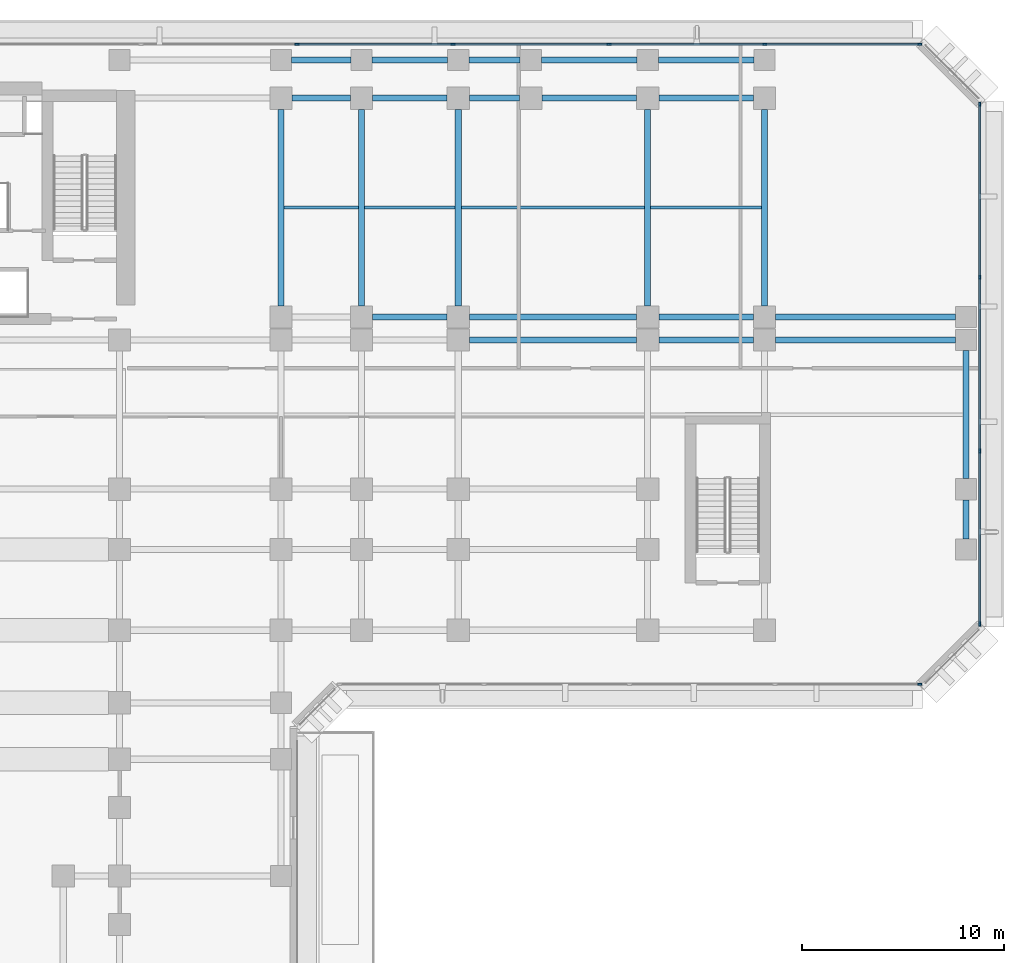
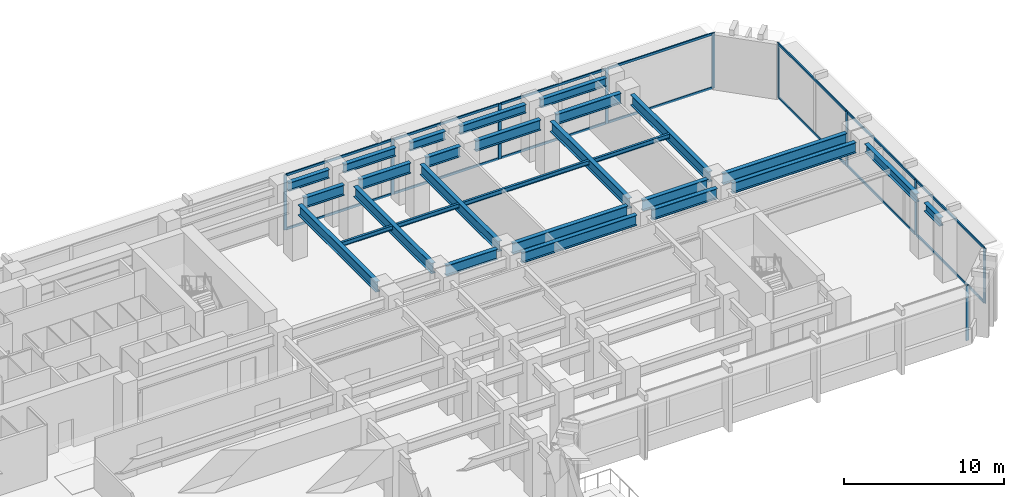
# One storey, part 5 of 16: 28 beams, 24 members, 3 elements without a shape of their own.
"""IFC4 building model written with IfcOpenShell, lengths in metres."""

from ifc_helpers import new_model, si_unit, direction, frame, origin, origin_2d, place, context, subcontext, project, spatial, rectangle, i_section, extrude, material, layer, layer_set, material_profile, profile_set, type_object, element, aggregate, save


model = new_model("IFC4")

# Units and contexts
model_context = context("Model", 3, precision=1e-05, world=origin(), true_north=direction((0.0, 1.0)))
body_context = subcontext(model_context, "Body", "Model", "MODEL_VIEW")
ifc_project = project(units=[si_unit("LENGTHUNIT", "METRE"), si_unit("AREAUNIT", "SQUARE_METRE"), si_unit("VOLUMEUNIT", "CUBIC_METRE"), si_unit("PLANEANGLEUNIT", "RADIAN"), si_unit("MASSUNIT", "GRAM", prefix="KILO")], contexts=[model_context])

# Site, building, storey
site_placement = place(None, origin())
site = spatial("IfcSite", under=ifc_project, at=site_placement, CompositionType="ELEMENT")
building_placement = place(site_placement, origin())
building = spatial("IfcBuilding", under=site, at=building_placement, Name="Kefirva Bronze Tower", CompositionType="ELEMENT")
storey_placement = place(building_placement, frame((0.0, 0.0, 21.1201171875)))
storey = spatial("IfcBuildingStorey", under=building, at=storey_placement, Name="L04", CompositionType="ELEMENT", Elevation=21.1201171875)

# Curtain wall, member
ifc_material_1 = material(Name="Bronze anodised aluminium", Category="aluminium")
ifc_layer = layer(ifc_material_1, 0.239990234375, Name="Bronze anodised aluminium")
ifc_layer_set = layer_set([ifc_layer], Name="Bronze anodised aluminium")
curtain_wall_type = type_object("IfcCurtainWallType", Name="Podium Double-Height Glazed Curtain Wall", PredefinedType="USERDEFINED", material=ifc_layer_set)
curtain_wall_1_placement = place(storey_placement, origin())
curtain_wall_1 = element("IfcCurtainWall", 1, at=curtain_wall_1_placement, inside=storey, type_object=curtain_wall_type, Name="L04 Curtain Wall 2", ObjectType="UNITISED CURTAIN WALL", PredefinedType="USERDEFINED")
ifc_material_profile_1 = material_profile(ifc_material_1, rectangle(XDim=0.090087890625, YDim=0.219970703125, at=origin_2d()), Name="ALU 90x220")
ifc_profile_set_1 = profile_set([ifc_material_profile_1], Name="Bronze anodised aluminium")
member_type_1 = type_object("IfcMemberType", Name="Bronze Mullion 90x220", PredefinedType="MULLION", material=ifc_profile_set_1)
member_1_placement = place(storey_placement, frame((62.89990234375, 16.1201171875, 0.0), z_axis=(0.0, 0.0, 1.0), x_axis=(0.0, 1.0, 0.0)))
member_1 = element("IfcMember", 2, at=member_1_placement, type_object=member_type_1, Name="CW-05 mullion 5", PredefinedType="MULLION", context=body_context, shape_type="SweptSolid", body=[
    extrude(rectangle(XDim=0.090087890625, YDim=0.219970703125, at=origin_2d()), origin(), (0.0, 0.0, 1.0), 4.199951171875),
])
aggregate(curtain_wall_1, [member_1])

# Curtain wall, members
curtain_wall_2_placement = place(storey_placement, origin())
curtain_wall_2 = element("IfcCurtainWall", 3, at=curtain_wall_2_placement, inside=storey, type_object=curtain_wall_type, Name="L04 Curtain Wall 3", ObjectType="UNITISED CURTAIN WALL", PredefinedType="USERDEFINED")
member_2_placement = place(storey_placement, frame((65.8798828125, 19.10009765625, 0.0), z_axis=(0.0, 0.0, 1.0), x_axis=(-1.0, 0.0, 0.0)))
member_2 = element("IfcMember", 4, at=member_2_placement, type_object=member_type_1, Name="CW-05 mullion 1", PredefinedType="MULLION", context=body_context, shape_type="SweptSolid", body=[
    extrude(rectangle(XDim=0.090087890625, YDim=0.219970703125, at=origin_2d()), origin(), (0.0, 0.0, 1.0), 4.199951171875),
])
member_3_placement = place(storey_placement, frame((65.8798828125, 27.68505859375, 0.0), z_axis=(0.0, 0.0, 1.0), x_axis=(-1.0, 0.0, 0.0)))
member_3 = element("IfcMember", 5, at=member_3_placement, type_object=member_type_1, Name="CW-05 mullion 2", PredefinedType="MULLION", context=body_context, shape_type="SweptSolid", body=[
    extrude(rectangle(XDim=0.090087890625, YDim=0.219970703125, at=origin_2d()), origin(), (0.0, 0.0, 1.0), 4.199951171875),
])
member_4_placement = place(storey_placement, frame((65.8798828125, 36.31494140625, 0.0), z_axis=(0.0, 0.0, 1.0), x_axis=(-1.0, 0.0, 0.0)))
member_4 = element("IfcMember", 6, at=member_4_placement, type_object=member_type_1, Name="CW-05 mullion 3", PredefinedType="MULLION", context=body_context, shape_type="SweptSolid", body=[
    extrude(rectangle(XDim=0.090087890625, YDim=0.219970703125, at=origin_2d()), origin(), (0.0, 0.0, 1.0), 4.199951171875),
])
member_5_placement = place(storey_placement, frame((65.8798828125, 44.89990234375, 0.0), z_axis=(0.0, 0.0, 1.0), x_axis=(-1.0, 0.0, 0.0)))
member_5 = element("IfcMember", 7, at=member_5_placement, type_object=member_type_1, Name="CW-05 mullion 4", PredefinedType="MULLION", context=body_context, shape_type="SweptSolid", body=[
    extrude(rectangle(XDim=0.090087890625, YDim=0.219970703125, at=origin_2d()), origin(), (0.0, 0.0, 1.0), 4.199951171875),
])

curtain_wall_3_placement = place(storey_placement, origin())
curtain_wall_3 = element("IfcCurtainWall", 8, at=curtain_wall_3_placement, inside=storey, type_object=curtain_wall_type, Name="L04 Curtain Wall 4", ObjectType="UNITISED CURTAIN WALL", PredefinedType="USERDEFINED")
member_6_placement = place(storey_placement, frame((62.89990234375, 47.8798828125, 0.0), z_axis=(0.0, 0.0, 1.0), x_axis=(0.0, -1.0, 0.0)))
member_6 = element("IfcMember", 9, at=member_6_placement, type_object=member_type_1, Name="CW-05 mullion 1", PredefinedType="MULLION", context=body_context, shape_type="SweptSolid", body=[
    extrude(rectangle(XDim=0.090087890625, YDim=0.219970703125, at=origin_2d()), origin(), (0.0, 0.0, 1.0), 4.199951171875),
])
member_7_placement = place(storey_placement, frame((55.208740234375, 47.8798828125, 0.0), z_axis=(0.0, 0.0, 1.0), x_axis=(0.0, -1.0, 0.0)))
member_7 = element("IfcMember", 10, at=member_7_placement, type_object=member_type_1, Name="CW-05 mullion 2", PredefinedType="MULLION", context=body_context, shape_type="SweptSolid", body=[
    extrude(rectangle(XDim=0.090087890625, YDim=0.219970703125, at=origin_2d()), origin(), (0.0, 0.0, 1.0), 4.199951171875),
])
member_8_placement = place(storey_placement, frame((47.472412109375, 47.8798828125, 0.0), z_axis=(0.0, 0.0, 1.0), x_axis=(0.0, -1.0, 0.0)))
member_8 = element("IfcMember", 11, at=member_8_placement, type_object=member_type_1, Name="CW-05 mullion 3", PredefinedType="MULLION", context=body_context, shape_type="SweptSolid", body=[
    extrude(rectangle(XDim=0.090087890625, YDim=0.219970703125, at=origin_2d()), origin(), (0.0, 0.0, 1.0), 4.199951171875),
])
member_9_placement = place(storey_placement, frame((39.736328125, 47.8798828125, 0.0), z_axis=(0.0, 0.0, 1.0), x_axis=(0.0, -1.0, 0.0)))
member_9 = element("IfcMember", 12, at=member_9_placement, type_object=member_type_1, Name="CW-05 mullion 4", PredefinedType="MULLION", context=body_context, shape_type="SweptSolid", body=[
    extrude(rectangle(XDim=0.090087890625, YDim=0.219970703125, at=origin_2d()), origin(), (0.0, 0.0, 1.0), 4.199951171875),
])
member_10_placement = place(storey_placement, frame((32.0, 47.8798828125, 0.0), z_axis=(0.0, 0.0, 1.0), x_axis=(0.0, -1.0, 0.0)))
member_10 = element("IfcMember", 13, at=member_10_placement, type_object=member_type_1, Name="CW-05 mullion 5", PredefinedType="MULLION", context=body_context, shape_type="SweptSolid", body=[
    extrude(rectangle(XDim=0.090087890625, YDim=0.219970703125, at=origin_2d()), origin(), (0.0, 0.0, 1.0), 4.199951171875),
])

# Member
ifc_material_profile_2 = material_profile(ifc_material_1, rectangle(XDim=0.090087890625, YDim=0.179931640625, at=origin_2d()), Name="ALU 90x180")
ifc_profile_set_2 = profile_set([ifc_material_profile_2], Name="Bronze anodised aluminium")
member_type_2 = type_object("IfcMemberType", Name="Bronze Transom 90x180", PredefinedType="USERDEFINED", material=ifc_profile_set_2)
member_11_placement = place(storey_placement, frame((65.8798828125, 19.14501953125, 0.044921875), z_axis=(0.0, 1.0, 0.0), x_axis=(-1.0, 0.0, 0.0)))
member_11 = element("IfcMember", 14, at=member_11_placement, type_object=member_type_2, Name="CW-05 transom 1.1", ObjectType="TRANSOM", PredefinedType="USERDEFINED", context=body_context, shape_type="SweptSolid", body=[
    extrude(rectangle(XDim=0.090087890625, YDim=0.179931640625, at=origin_2d()), origin(), (0.0, 0.0, 1.0), 8.494873046875),
])

member_12_placement = place(storey_placement, frame((65.8798828125, 19.14501953125, 4.15478515625), z_axis=(0.0, 1.0, 0.0), x_axis=(-1.0, 0.0, 0.0)))
member_12 = element("IfcMember", 15, at=member_12_placement, type_object=member_type_2, Name="CW-05 transom 1.2", ObjectType="TRANSOM", PredefinedType="USERDEFINED", context=body_context, shape_type="SweptSolid", body=[
    extrude(rectangle(XDim=0.090087890625, YDim=0.179931640625, at=origin_2d()), origin(), (0.0, 0.0, 1.0), 8.494873046875),
])

member_13_placement = place(storey_placement, frame((65.8798828125, 27.72998046875, 0.044921875), z_axis=(0.0, 1.0, 0.0), x_axis=(-1.0, 0.0, 0.0)))
member_13 = element("IfcMember", 16, at=member_13_placement, type_object=member_type_2, Name="CW-05 transom 2.1", ObjectType="TRANSOM", PredefinedType="USERDEFINED", context=body_context, shape_type="SweptSolid", body=[
    extrude(rectangle(XDim=0.090087890625, YDim=0.179931640625, at=origin_2d()), origin(), (0.0, 0.0, 1.0), 8.5400390625),
])

member_14_placement = place(storey_placement, frame((65.8798828125, 27.72998046875, 4.15478515625), z_axis=(0.0, 1.0, 0.0), x_axis=(-1.0, 0.0, 0.0)))
member_14 = element("IfcMember", 17, at=member_14_placement, type_object=member_type_2, Name="CW-05 transom 2.2", ObjectType="TRANSOM", PredefinedType="USERDEFINED", context=body_context, shape_type="SweptSolid", body=[
    extrude(rectangle(XDim=0.090087890625, YDim=0.179931640625, at=origin_2d()), origin(), (0.0, 0.0, 1.0), 8.5400390625),
])

member_15_placement = place(storey_placement, frame((65.8798828125, 36.360107421875, 0.044921875), z_axis=(0.0, 1.0, 0.0), x_axis=(-1.0, 0.0, 0.0)))
member_15 = element("IfcMember", 18, at=member_15_placement, type_object=member_type_2, Name="CW-05 transom 3.1", ObjectType="TRANSOM", PredefinedType="USERDEFINED", context=body_context, shape_type="SweptSolid", body=[
    extrude(rectangle(XDim=0.090087890625, YDim=0.179931640625, at=origin_2d()), origin(), (0.0, 0.0, 1.0), 8.494873046875),
])

member_16_placement = place(storey_placement, frame((65.8798828125, 36.360107421875, 4.15478515625), z_axis=(0.0, 1.0, 0.0), x_axis=(-1.0, 0.0, 0.0)))
member_16 = element("IfcMember", 19, at=member_16_placement, type_object=member_type_2, Name="CW-05 transom 3.2", ObjectType="TRANSOM", PredefinedType="USERDEFINED", context=body_context, shape_type="SweptSolid", body=[
    extrude(rectangle(XDim=0.090087890625, YDim=0.179931640625, at=origin_2d()), origin(), (0.0, 0.0, 1.0), 8.494873046875),
])

aggregate(curtain_wall_2, [member_2, member_3, member_4, member_5, member_11, member_12, member_13, member_14, member_15, member_16])

member_17_placement = place(storey_placement, frame((62.85498046875, 47.8798828125, 0.044921875), z_axis=(-1.0, 0.0, 0.0), x_axis=(0.0, -1.0, 0.0)))
member_17 = element("IfcMember", 20, at=member_17_placement, type_object=member_type_2, Name="CW-05 transom 1.1", ObjectType="TRANSOM", PredefinedType="USERDEFINED", context=body_context, shape_type="SweptSolid", body=[
    extrude(rectangle(XDim=0.090087890625, YDim=0.179931640625, at=origin_2d()), origin(), (0.0, 0.0, 1.0), 7.601318359375),
])

member_18_placement = place(storey_placement, frame((62.85498046875, 47.8798828125, 4.15478515625), z_axis=(-1.0, 0.0, 0.0), x_axis=(0.0, -1.0, 0.0)))
member_18 = element("IfcMember", 21, at=member_18_placement, type_object=member_type_2, Name="CW-05 transom 1.2", ObjectType="TRANSOM", PredefinedType="USERDEFINED", context=body_context, shape_type="SweptSolid", body=[
    extrude(rectangle(XDim=0.090087890625, YDim=0.179931640625, at=origin_2d()), origin(), (0.0, 0.0, 1.0), 7.601318359375),
])

member_19_placement = place(storey_placement, frame((55.163818359375, 47.8798828125, 0.044921875), z_axis=(-1.0, 0.0, 0.0), x_axis=(0.0, -1.0, 0.0)))
member_19 = element("IfcMember", 22, at=member_19_placement, type_object=member_type_2, Name="CW-05 transom 2.1", ObjectType="TRANSOM", PredefinedType="USERDEFINED", context=body_context, shape_type="SweptSolid", body=[
    extrude(rectangle(XDim=0.090087890625, YDim=0.179931640625, at=origin_2d()), origin(), (0.0, 0.0, 1.0), 7.646240234375),
])

member_20_placement = place(storey_placement, frame((55.163818359375, 47.8798828125, 4.15478515625), z_axis=(-1.0, 0.0, 0.0), x_axis=(0.0, -1.0, 0.0)))
member_20 = element("IfcMember", 23, at=member_20_placement, type_object=member_type_2, Name="CW-05 transom 2.2", ObjectType="TRANSOM", PredefinedType="USERDEFINED", context=body_context, shape_type="SweptSolid", body=[
    extrude(rectangle(XDim=0.090087890625, YDim=0.179931640625, at=origin_2d()), origin(), (0.0, 0.0, 1.0), 7.646240234375),
])

member_21_placement = place(storey_placement, frame((47.427490234375, 47.8798828125, 0.044921875), z_axis=(-1.0, 0.0, 0.0), x_axis=(0.0, -1.0, 0.0)))
member_21 = element("IfcMember", 24, at=member_21_placement, type_object=member_type_2, Name="CW-05 transom 3.1", ObjectType="TRANSOM", PredefinedType="USERDEFINED", context=body_context, shape_type="SweptSolid", body=[
    extrude(rectangle(XDim=0.090087890625, YDim=0.179931640625, at=origin_2d()), origin(), (0.0, 0.0, 1.0), 7.646240234375),
])

member_22_placement = place(storey_placement, frame((47.427490234375, 47.8798828125, 4.15478515625), z_axis=(-1.0, 0.0, 0.0), x_axis=(0.0, -1.0, 0.0)))
member_22 = element("IfcMember", 25, at=member_22_placement, type_object=member_type_2, Name="CW-05 transom 3.2", ObjectType="TRANSOM", PredefinedType="USERDEFINED", context=body_context, shape_type="SweptSolid", body=[
    extrude(rectangle(XDim=0.090087890625, YDim=0.179931640625, at=origin_2d()), origin(), (0.0, 0.0, 1.0), 7.646240234375),
])

member_23_placement = place(storey_placement, frame((39.691162109375, 47.8798828125, 0.044921875), z_axis=(-1.0, 0.0, 0.0), x_axis=(0.0, -1.0, 0.0)))
member_23 = element("IfcMember", 26, at=member_23_placement, type_object=member_type_2, Name="CW-05 transom 4.1", ObjectType="TRANSOM", PredefinedType="USERDEFINED", context=body_context, shape_type="SweptSolid", body=[
    extrude(rectangle(XDim=0.090087890625, YDim=0.179931640625, at=origin_2d()), origin(), (0.0, 0.0, 1.0), 7.646240234375),
])

member_24_placement = place(storey_placement, frame((39.691162109375, 47.8798828125, 4.15478515625), z_axis=(-1.0, 0.0, 0.0), x_axis=(0.0, -1.0, 0.0)))
member_24 = element("IfcMember", 27, at=member_24_placement, type_object=member_type_2, Name="CW-05 transom 4.2", ObjectType="TRANSOM", PredefinedType="USERDEFINED", context=body_context, shape_type="SweptSolid", body=[
    extrude(rectangle(XDim=0.090087890625, YDim=0.179931640625, at=origin_2d()), origin(), (0.0, 0.0, 1.0), 7.646240234375),
])

aggregate(curtain_wall_3, [member_6, member_7, member_8, member_9, member_10, member_17, member_18, member_19, member_20, member_21, member_22, member_23, member_24])

# Beams
ifc_material_2 = material(Name="Steel S355", Category="steel")
ifc_material_profile_3 = material_profile(ifc_material_2, i_section(OverallWidth=0.159912109375, OverallDepth=0.330078125, WebThickness=0.007568359375, FlangeThickness=0.011474609375, at=origin_2d()), Name="IPE 330")
ifc_profile_set_3 = profile_set([ifc_material_profile_3], Name="Steel S355")
beam_type_1 = type_object("IfcBeamType", Name="Steel Floor Joist IPE 330", PredefinedType="JOIST", material=ifc_profile_set_3)
beam_1_placement = place(storey_placement, frame((31.35009765625, 39.77490234375, 4.034912109375), z_axis=(1.0, 0.0, 0.0), x_axis=(0.0, 1.0, 0.0)))
element("IfcBeam", 28, at=beam_1_placement, inside=storey, type_object=beam_type_1, Name="L04 JST-L04-31-397", PredefinedType="JOIST", context=body_context, shape_type="SweptSolid", body=[
    extrude(i_section(OverallWidth=0.159912109375, OverallDepth=0.330078125, WebThickness=0.007568359375, FlangeThickness=0.011474609375, at=origin_2d()), origin(), (0.0, 0.0, 1.0), 3.699951171875),
])
beam_2_placement = place(storey_placement, frame((35.35009765625, 39.77490234375, 4.034912109375), z_axis=(1.0, 0.0, 0.0), x_axis=(0.0, 1.0, 0.0)))
element("IfcBeam", 29, at=beam_2_placement, inside=storey, type_object=beam_type_1, Name="L04 JST-L04-35-397", PredefinedType="JOIST", context=body_context, shape_type="SweptSolid", body=[
    extrude(i_section(OverallWidth=0.159912109375, OverallDepth=0.330078125, WebThickness=0.007568359375, FlangeThickness=0.011474609375, at=origin_2d()), origin(), (0.0, 0.0, 1.0), 4.5),
])
beam_3_placement = place(storey_placement, frame((40.14990234375, 39.77490234375, 4.034912109375), z_axis=(1.0, 0.0, 0.0), x_axis=(0.0, 1.0, 0.0)))
element("IfcBeam", 30, at=beam_3_placement, inside=storey, type_object=beam_type_1, Name="L04 JST-L04-40-397", PredefinedType="JOIST", context=body_context, shape_type="SweptSolid", body=[
    extrude(i_section(OverallWidth=0.159912109375, OverallDepth=0.330078125, WebThickness=0.007568359375, FlangeThickness=0.011474609375, at=origin_2d()), origin(), (0.0, 0.0, 1.0), 9.10009765625),
])
beam_4_placement = place(storey_placement, frame((49.550048828125, 39.77490234375, 4.034912109375), z_axis=(1.0, 0.0, 0.0), x_axis=(0.0, 1.0, 0.0)))
element("IfcBeam", 31, at=beam_4_placement, inside=storey, type_object=beam_type_1, Name="L04 JST-L04-49-397", PredefinedType="JOIST", context=body_context, shape_type="SweptSolid", body=[
    extrude(i_section(OverallWidth=0.159912109375, OverallDepth=0.330078125, WebThickness=0.007568359375, FlangeThickness=0.011474609375, at=origin_2d()), origin(), (0.0, 0.0, 1.0), 5.5),
])
ifc_material_profile_4 = material_profile(ifc_material_2, i_section(OverallWidth=0.300048828125, OverallDepth=0.800048828125, WebThickness=0.017578125, FlangeThickness=0.032958984375, at=origin_2d()), Name="HEB 800")
ifc_profile_set_4 = profile_set([ifc_material_profile_4], Name="Steel S355")
beam_type_2 = type_object("IfcBeamType", Name="Steel Girder HEB 800", PredefinedType="USERDEFINED", material=ifc_profile_set_4)
beam_5_placement = place(storey_placement, frame((40.550048828125, 33.199951171875, 3.7998046875), z_axis=(1.0, 0.0, 0.0), x_axis=(0.0, 1.0, 0.0)))
element("IfcBeam", 32, at=beam_5_placement, inside=storey, type_object=beam_type_2, Name="L04 BM-L04-EW-40-332", ObjectType="GIRDER", PredefinedType="USERDEFINED", context=body_context, shape_type="SweptSolid", body=[
    extrude(i_section(OverallWidth=0.300048828125, OverallDepth=0.800048828125, WebThickness=0.017578125, FlangeThickness=0.032958984375, at=origin_2d()), origin(), (0.0, 0.0, 1.0), 8.300048828125),
])
beam_6_placement = place(storey_placement, frame((49.949951171875, 33.199951171875, 3.7998046875), z_axis=(1.0, 0.0, 0.0), x_axis=(0.0, 1.0, 0.0)))
element("IfcBeam", 33, at=beam_6_placement, inside=storey, type_object=beam_type_2, Name="L04 BM-L04-EW-49-332", ObjectType="GIRDER", PredefinedType="USERDEFINED", context=body_context, shape_type="SweptSolid", body=[
    extrude(i_section(OverallWidth=0.300048828125, OverallDepth=0.800048828125, WebThickness=0.017578125, FlangeThickness=0.032958984375, at=origin_2d()), origin(), (0.0, 0.0, 1.0), 4.699951171875),
])
beam_7_placement = place(storey_placement, frame((55.75, 33.199951171875, 3.7998046875), z_axis=(1.0, 0.0, 0.0), x_axis=(0.0, 1.0, 0.0)))
element("IfcBeam", 34, at=beam_7_placement, inside=storey, type_object=beam_type_2, Name="L04 BM-L04-EW-55-332", ObjectType="GIRDER", PredefinedType="USERDEFINED", context=body_context, shape_type="SweptSolid", body=[
    extrude(i_section(OverallWidth=0.300048828125, OverallDepth=0.800048828125, WebThickness=0.017578125, FlangeThickness=0.032958984375, at=origin_2d()), origin(), (0.0, 0.0, 1.0), 8.925048828125),
])
beam_8_placement = place(storey_placement, frame((35.75, 34.35009765625, 3.7998046875), z_axis=(1.0, 0.0, 0.0), x_axis=(0.0, 1.0, 0.0)))
element("IfcBeam", 35, at=beam_8_placement, inside=storey, type_object=beam_type_2, Name="L04 BM-L04-EW-35-344", ObjectType="GIRDER", PredefinedType="USERDEFINED", context=body_context, shape_type="SweptSolid", body=[
    extrude(i_section(OverallWidth=0.300048828125, OverallDepth=0.800048828125, WebThickness=0.017578125, FlangeThickness=0.032958984375, at=origin_2d()), origin(), (0.0, 0.0, 1.0), 3.699951171875),
])
beam_9_placement = place(storey_placement, frame((40.550048828125, 34.35009765625, 3.7998046875), z_axis=(1.0, 0.0, 0.0), x_axis=(0.0, 1.0, 0.0)))
element("IfcBeam", 36, at=beam_9_placement, inside=storey, type_object=beam_type_2, Name="L04 BM-L04-EW-40-344", ObjectType="GIRDER", PredefinedType="USERDEFINED", context=body_context, shape_type="SweptSolid", body=[
    extrude(i_section(OverallWidth=0.300048828125, OverallDepth=0.800048828125, WebThickness=0.017578125, FlangeThickness=0.032958984375, at=origin_2d()), origin(), (0.0, 0.0, 1.0), 8.300048828125),
])
beam_10_placement = place(storey_placement, frame((49.949951171875, 34.35009765625, 3.7998046875), z_axis=(1.0, 0.0, 0.0), x_axis=(0.0, 1.0, 0.0)))
element("IfcBeam", 37, at=beam_10_placement, inside=storey, type_object=beam_type_2, Name="L04 BM-L04-EW-49-344", ObjectType="GIRDER", PredefinedType="USERDEFINED", context=body_context, shape_type="SweptSolid", body=[
    extrude(i_section(OverallWidth=0.300048828125, OverallDepth=0.800048828125, WebThickness=0.017578125, FlangeThickness=0.032958984375, at=origin_2d()), origin(), (0.0, 0.0, 1.0), 4.699951171875),
])
beam_11_placement = place(storey_placement, frame((55.75, 34.35009765625, 3.7998046875), z_axis=(1.0, 0.0, 0.0), x_axis=(0.0, 1.0, 0.0)))
element("IfcBeam", 38, at=beam_11_placement, inside=storey, type_object=beam_type_2, Name="L04 BM-L04-EW-55-344", ObjectType="GIRDER", PredefinedType="USERDEFINED", context=body_context, shape_type="SweptSolid", body=[
    extrude(i_section(OverallWidth=0.300048828125, OverallDepth=0.800048828125, WebThickness=0.017578125, FlangeThickness=0.032958984375, at=origin_2d()), origin(), (0.0, 0.0, 1.0), 8.925048828125),
])
beam_12_placement = place(storey_placement, frame((31.75, 45.199951171875, 3.7998046875), z_axis=(1.0, 0.0, 0.0), x_axis=(0.0, 1.0, 0.0)))
element("IfcBeam", 39, at=beam_12_placement, inside=storey, type_object=beam_type_2, Name="L04 BM-L04-EW-31-452", ObjectType="GIRDER", PredefinedType="USERDEFINED", context=body_context, shape_type="SweptSolid", body=[
    extrude(i_section(OverallWidth=0.300048828125, OverallDepth=0.800048828125, WebThickness=0.017578125, FlangeThickness=0.032958984375, at=origin_2d()), origin(), (0.0, 0.0, 1.0), 2.89990234375),
])
beam_13_placement = place(storey_placement, frame((35.75, 45.199951171875, 3.7998046875), z_axis=(1.0, 0.0, 0.0), x_axis=(0.0, 1.0, 0.0)))
element("IfcBeam", 40, at=beam_13_placement, inside=storey, type_object=beam_type_2, Name="L04 BM-L04-EW-35-452", ObjectType="GIRDER", PredefinedType="USERDEFINED", context=body_context, shape_type="SweptSolid", body=[
    extrude(i_section(OverallWidth=0.300048828125, OverallDepth=0.800048828125, WebThickness=0.017578125, FlangeThickness=0.032958984375, at=origin_2d()), origin(), (0.0, 0.0, 1.0), 3.699951171875),
])
beam_14_placement = place(storey_placement, frame((40.550048828125, 45.199951171875, 3.7998046875), z_axis=(1.0, 0.0, 0.0), x_axis=(0.0, 1.0, 0.0)))
element("IfcBeam", 41, at=beam_14_placement, inside=storey, type_object=beam_type_2, Name="L04 BM-L04-EW-40-452", ObjectType="GIRDER", PredefinedType="USERDEFINED", context=body_context, shape_type="SweptSolid", body=[
    extrude(i_section(OverallWidth=0.300048828125, OverallDepth=0.800048828125, WebThickness=0.017578125, FlangeThickness=0.032958984375, at=origin_2d()), origin(), (0.0, 0.0, 1.0), 2.5),
])
beam_15_placement = place(storey_placement, frame((44.14990234375, 45.199951171875, 3.7998046875), z_axis=(1.0, 0.0, 0.0), x_axis=(0.0, 1.0, 0.0)))
element("IfcBeam", 42, at=beam_15_placement, inside=storey, type_object=beam_type_2, Name="L04 BM-L04-EW-43-452", ObjectType="GIRDER", PredefinedType="USERDEFINED", context=body_context, shape_type="SweptSolid", body=[
    extrude(i_section(OverallWidth=0.300048828125, OverallDepth=0.800048828125, WebThickness=0.017578125, FlangeThickness=0.032958984375, at=origin_2d()), origin(), (0.0, 0.0, 1.0), 4.7001953125),
])
beam_16_placement = place(storey_placement, frame((49.949951171875, 45.199951171875, 3.7998046875), z_axis=(1.0, 0.0, 0.0), x_axis=(0.0, 1.0, 0.0)))
element("IfcBeam", 43, at=beam_16_placement, inside=storey, type_object=beam_type_2, Name="L04 BM-L04-EW-49-452", ObjectType="GIRDER", PredefinedType="USERDEFINED", context=body_context, shape_type="SweptSolid", body=[
    extrude(i_section(OverallWidth=0.300048828125, OverallDepth=0.800048828125, WebThickness=0.017578125, FlangeThickness=0.032958984375, at=origin_2d()), origin(), (0.0, 0.0, 1.0), 4.699951171875),
])
for number, where, z_axis, x_axis, name in (
    (44, (31.199951171875, 34.89990234375, 3.7998046875), (0.0, 1.0, 0.0), (-1.0, 0.0, 0.0), "L04 BM-L04-NS-312-34"),
    (45, (35.199951171875, 34.89990234375, 3.7998046875), (0.0, 1.0, 0.0), (-1.0, 0.0, 0.0), "L04 BM-L04-NS-352-34"),
    (46, (40.0, 34.89990234375, 3.7998046875), (0.0, 1.0, 0.0), (-1.0, 0.0, 0.0), "L04 BM-L04-NS-400-34"),
    (47, (49.39990234375, 34.89990234375, 3.7998046875), (0.0, 1.0, 0.0), (-1.0, 0.0, 0.0), "L04 BM-L04-NS-494-34"),
    (48, (55.199951171875, 34.89990234375, 3.7998046875), (0.0, 1.0, 0.0), (-1.0, 0.0, 0.0), "L04 BM-L04-NS-552-34"),
):
    element("IfcBeam", number, at=place(storey_placement, frame(where, z_axis=z_axis, x_axis=x_axis)), inside=storey, type_object=beam_type_2, Name=name, ObjectType="GIRDER", PredefinedType="USERDEFINED", context=body_context, shape_type="SweptSolid", body=[
        extrude(i_section(OverallWidth=0.300048828125, OverallDepth=0.800048828125, WebThickness=0.017578125, FlangeThickness=0.032958984375, at=origin_2d()), origin(), (0.0, 0.0, 1.0), 9.75),
    ])
ifc_material_profile_5 = material_profile(ifc_material_2, i_section(OverallWidth=0.300048828125, OverallDepth=0.64990234375, WebThickness=0.01611328125, FlangeThickness=0.031005859375, at=origin_2d()), Name="HEB 650")
ifc_profile_set_5 = profile_set([ifc_material_profile_5], Name="Steel S355")
beam_type_3 = type_object("IfcBeamType", Name="Steel Spandrel HEB 650 Ext", PredefinedType="SPANDREL", material=ifc_profile_set_5)
beam_17_placement = place(storey_placement, frame((31.72509765625, 47.10009765625, 3.875), z_axis=(1.0, 0.0, 0.0), x_axis=(0.0, 1.0, 0.0)))
element("IfcBeam", 49, at=beam_17_placement, inside=storey, type_object=beam_type_3, Name="L04 BM-L04-EW-31-471", PredefinedType="SPANDREL", context=body_context, shape_type="SweptSolid", body=[
    extrude(i_section(OverallWidth=0.300048828125, OverallDepth=0.64990234375, WebThickness=0.01611328125, FlangeThickness=0.031005859375, at=origin_2d()), origin(), (0.0, 0.0, 1.0), 2.949951171875),
])
beam_18_placement = place(storey_placement, frame((35.72509765625, 47.10009765625, 3.875), z_axis=(1.0, 0.0, 0.0), x_axis=(0.0, 1.0, 0.0)))
element("IfcBeam", 50, at=beam_18_placement, inside=storey, type_object=beam_type_3, Name="L04 BM-L04-EW-35-471", PredefinedType="SPANDREL", context=body_context, shape_type="SweptSolid", body=[
    extrude(i_section(OverallWidth=0.300048828125, OverallDepth=0.64990234375, WebThickness=0.01611328125, FlangeThickness=0.031005859375, at=origin_2d()), origin(), (0.0, 0.0, 1.0), 3.75),
])
beam_19_placement = place(storey_placement, frame((40.52490234375, 47.10009765625, 3.875), z_axis=(1.0, 0.0, 0.0), x_axis=(0.0, 1.0, 0.0)))
element("IfcBeam", 51, at=beam_19_placement, inside=storey, type_object=beam_type_3, Name="L04 BM-L04-EW-40-471", PredefinedType="SPANDREL", context=body_context, shape_type="SweptSolid", body=[
    extrude(i_section(OverallWidth=0.300048828125, OverallDepth=0.64990234375, WebThickness=0.01611328125, FlangeThickness=0.031005859375, at=origin_2d()), origin(), (0.0, 0.0, 1.0), 2.550048828125),
])
for number, where, z_axis, x_axis, name in (
    (52, (44.125, 47.10009765625, 3.875), (1.0, 0.0, 0.0), (0.0, 1.0, 0.0), "L04 BM-L04-EW-43-471"),
    (53, (49.925048828125, 47.10009765625, 3.875), (1.0, 0.0, 0.0), (0.0, 1.0, 0.0), "L04 BM-L04-EW-49-471"),
):
    element("IfcBeam", number, at=place(storey_placement, frame(where, z_axis=z_axis, x_axis=x_axis)), inside=storey, type_object=beam_type_3, Name=name, PredefinedType="SPANDREL", context=body_context, shape_type="SweptSolid", body=[
        extrude(i_section(OverallWidth=0.300048828125, OverallDepth=0.64990234375, WebThickness=0.01611328125, FlangeThickness=0.031005859375, at=origin_2d()), origin(), (0.0, 0.0, 1.0), 4.75),
    ])
beam_20_placement = place(storey_placement, frame((65.199951171875, 23.324951171875, 3.875), z_axis=(0.0, 1.0, 0.0), x_axis=(-1.0, 0.0, 0.0)))
element("IfcBeam", 54, at=beam_20_placement, inside=storey, type_object=beam_type_3, Name="L04 BM-L04-NS-652-22", PredefinedType="SPANDREL", context=body_context, shape_type="SweptSolid", body=[
    extrude(i_section(OverallWidth=0.300048828125, OverallDepth=0.64990234375, WebThickness=0.01611328125, FlangeThickness=0.031005859375, at=origin_2d()), origin(), (0.0, 0.0, 1.0), 1.949951171875),
])
beam_21_placement = place(storey_placement, frame((65.199951171875, 26.324951171875, 3.875), z_axis=(0.0, 1.0, 0.0), x_axis=(-1.0, 0.0, 0.0)))
element("IfcBeam", 55, at=beam_21_placement, inside=storey, type_object=beam_type_3, Name="L04 BM-L04-NS-652-25", PredefinedType="SPANDREL", context=body_context, shape_type="SweptSolid", body=[
    extrude(i_section(OverallWidth=0.300048828125, OverallDepth=0.64990234375, WebThickness=0.01611328125, FlangeThickness=0.031005859375, at=origin_2d()), origin(), (0.0, 0.0, 1.0), 6.35009765625),
])

save(model, "model.ifc")
